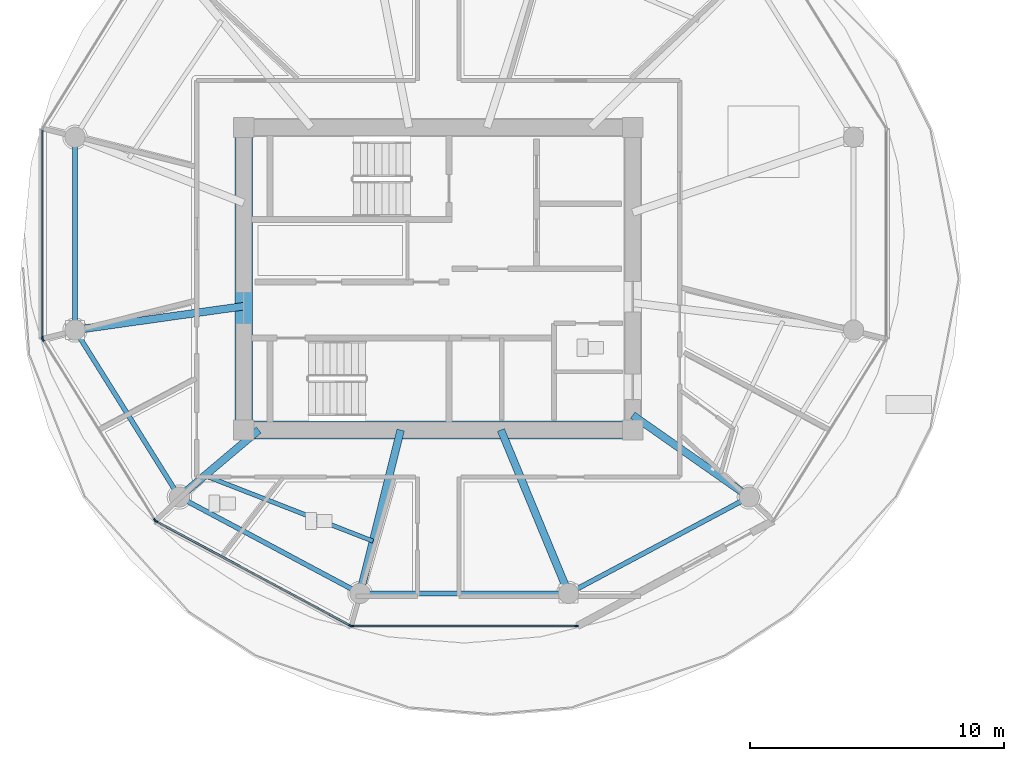
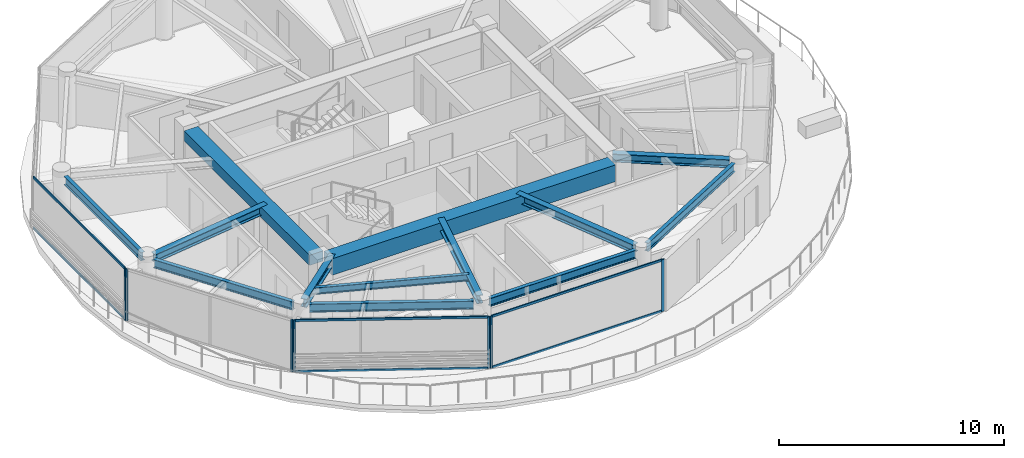
# One storey, part 2 of 28: 13 beams, 13 members, 4 elements without a shape of their own.
"""IFC4 building model written with IfcOpenShell, lengths in metres."""

from ifc_helpers import new_model, si_unit, direction, frame, origin, origin_2d, place, context, subcontext, project, spatial, rectangle, i_section, extrude, source, transform, mapped, material, layer, layer_set, material_profile, profile_set, type_object, type_shapes, element, aggregate, save


model = new_model("IFC4")

# Units and contexts
model_context = context("Model", 3, precision=1e-05, world=origin(), true_north=direction((0.0, 1.0)))
body_context = subcontext(model_context, "Body", "Model", "MODEL_VIEW")
ifc_project = project(units=[si_unit("LENGTHUNIT", "METRE"), si_unit("AREAUNIT", "SQUARE_METRE"), si_unit("VOLUMEUNIT", "CUBIC_METRE"), si_unit("PLANEANGLEUNIT", "RADIAN"), si_unit("MASSUNIT", "GRAM", prefix="KILO")], contexts=[model_context])

# Site, building, storey
site_placement = place(None, origin())
site = spatial("IfcSite", under=ifc_project, at=site_placement, CompositionType="ELEMENT")
building_placement = place(site_placement, origin())
building = spatial("IfcBuilding", under=site, at=building_placement, Name="Norrkilde Senior Care Towers", CompositionType="ELEMENT")
storey_placement = place(building_placement, frame((0.0, 0.0, 134.300048828125)))
storey = spatial("IfcBuildingStorey", under=building, at=storey_placement, Name="L41", CompositionType="ELEMENT", Elevation=134.300048828125)

# Beams
ifc_material_1 = material(Name="Concrete C60/75", Category="concrete")
ifc_material_profile_1 = material_profile(ifc_material_1, rectangle(XDim=0.699951171875, YDim=0.89990234375, at=origin_2d()), Name="RC BM 700x900")
ifc_profile_set_1 = profile_set([ifc_material_profile_1], Name="Concrete C60/75")
beam_type_1 = type_object("IfcBeamType", Name="Core Coupling Girder 700x900", PredefinedType="USERDEFINED", material=ifc_profile_set_1)
shared_shape_1 = source(origin(), body_context, "Body", "SweptSolid", [
    extrude(rectangle(XDim=0.699951171875, YDim=0.89990234375, at=origin_2d()), origin(), (0.0, 0.0, 1.0), 14.5400390625),
])
type_shapes(beam_type_1, [shared_shape_1])
beam_1_placement = place(storey_placement, frame((-35.27001953125, -5.949951171875, 2.35986328125), z_axis=(1.0, 0.0, 0.0), x_axis=(0.0, 1.0, 0.0)))
element("IfcBeam", 1, at=beam_1_placement, inside=storey, type_object=beam_type_1, Name="L41 Core W S Coupling Girder", ObjectType="GIRDER", PredefinedType="USERDEFINED", context=body_context, shape_type="MappedRepresentation", body=[
    mapped(shared_shape_1, transform((0.0, 0.0, 0.0), x_axis=(1.0, 0.0, 0.0), y_axis=(0.0, 1.0, 0.0), z_axis=(0.0, 0.0, 1.0), scale=1.0)),
])
ifc_material_profile_2 = material_profile(ifc_material_1, rectangle(XDim=0.699951171875, YDim=0.550048828125, at=origin_2d()), Name="RC BM 700x550")
ifc_profile_set_2 = profile_set([ifc_material_profile_2], Name="Concrete C60/75")
beam_type_2 = type_object("IfcBeamType", Name="Core Portal Coupling Beam 700x550", PredefinedType="USERDEFINED", material=ifc_profile_set_2)
shared_shape_2 = source(origin(), body_context, "Body", "SweptSolid", [
    extrude(rectangle(XDim=0.699951171875, YDim=0.550048828125, at=origin_2d()), origin(), (0.0, 0.0, 1.0), 11.14013671875),
])
type_shapes(beam_type_2, [shared_shape_2])
beam_2_placement = place(storey_placement, frame((-35.64990234375, -5.570068359375, 2.534912109375), z_axis=(0.0, 1.0, 0.0), x_axis=(-1.0, 0.0, 0.0)))
element("IfcBeam", 2, at=beam_2_placement, inside=storey, type_object=beam_type_2, Name="L41 Core W W Coupling Girder", ObjectType="GIRDER", PredefinedType="USERDEFINED", context=body_context, shape_type="MappedRepresentation", body=[
    mapped(shared_shape_2, transform((0.0, 0.0, 0.0), x_axis=(1.0, 0.0, 0.0), y_axis=(0.0, 1.0, 0.0), z_axis=(0.0, 0.0, 1.0), scale=1.0)),
])
ifc_material_2 = material(Name="Steel S355", Category="steel")
ifc_material_profile_3 = material_profile(ifc_material_2, i_section(OverallWidth=0.18994140625, OverallDepth=0.449951171875, WebThickness=0.009521484375, FlangeThickness=0.0146484375, FilletRadius=0.02099609375, at=origin_2d()), Name="IPE 450")
ifc_profile_set_3 = profile_set([ifc_material_profile_3], Name="Steel S355")
beam_type_3 = type_object("IfcBeamType", Name="Perimeter Ring Spandrel Z3 IPE450", PredefinedType="SPANDREL", material=ifc_profile_set_3)
shared_shape_3 = source(origin(), body_context, "Body", "SweptSolid", [
    extrude(i_section(OverallWidth=0.18994140625, OverallDepth=0.449951171875, WebThickness=0.009521484375, FlangeThickness=0.0146484375, FilletRadius=0.02099609375, at=origin_2d()), origin(), (0.0, 0.0, 1.0), 7.484619140625),
])
beam_3_placement = place(storey_placement, frame((-30.71728515625, -12.37548828125, 2.5849609375), z_axis=(1.0, 0.0, 0.0), x_axis=(0.0, 1.0, 0.0)))
element("IfcBeam", 3, at=beam_3_placement, inside=storey, type_object=beam_type_3, Name="L41 Drum W Perimeter Spandrel 09", PredefinedType="SPANDREL", context=body_context, shape_type="MappedRepresentation", body=[
    mapped(shared_shape_3, transform((0.0, 0.0, 0.0), x_axis=(1.0, 0.0, 0.0), y_axis=(0.0, 1.0, 0.0), z_axis=(0.0, 0.0, 1.0), scale=1.0)),
])
shared_shape_4 = source(origin(), body_context, "Body", "SweptSolid", [
    extrude(i_section(OverallWidth=0.18994140625, OverallDepth=0.449951171875, WebThickness=0.009521484375, FlangeThickness=0.0146484375, FilletRadius=0.02099609375, at=origin_2d()), origin(), (0.0, 0.0, 1.0), 6.86328125),
])
beam_4_placement = place(storey_placement, frame((-42.284912109375, 5.20703125, 2.5849609375), z_axis=(0.0, -1.0, 0.0), x_axis=(1.0, 0.0, 0.0)))
element("IfcBeam", 4, at=beam_4_placement, inside=storey, type_object=beam_type_3, Name="L41 Drum W Perimeter Spandrel 06", PredefinedType="SPANDREL", context=body_context, shape_type="MappedRepresentation", body=[
    mapped(shared_shape_4, transform((0.0, 0.0, 0.0), x_axis=(1.0, 0.0, 0.0), y_axis=(0.0, 1.0, 0.0), z_axis=(0.0, 0.0, 1.0), scale=1.0)),
])
shared_shape_5 = source(origin(), body_context, "Body", "SweptSolid", [
    extrude(i_section(OverallWidth=0.18994140625, OverallDepth=0.449951171875, WebThickness=0.009521484375, FlangeThickness=0.0146484375, FilletRadius=0.02099609375, at=origin_2d()), origin(), (0.0, 0.0, 1.0), 7.023193359375),
])
beam_5_placement = place(storey_placement, frame((-42.09423828125, -2.32177734375, 2.5849609375), z_axis=(0.529805197269, -0.848119362441, 0.0), x_axis=(0.848119362441, 0.529805197269, 0.0)))
element("IfcBeam", 5, at=beam_5_placement, inside=storey, type_object=beam_type_3, Name="L41 Drum W Perimeter Spandrel 07", PredefinedType="SPANDREL", context=body_context, shape_type="MappedRepresentation", body=[
    mapped(shared_shape_5, transform((0.0, 0.0, 0.0), x_axis=(1.0, 0.0, 0.0), y_axis=(0.0, 1.0, 0.0), z_axis=(0.0, 0.0, 1.0), scale=1.0)),
])
ifc_material_profile_4 = material_profile(ifc_material_2, i_section(OverallWidth=0.300048828125, OverallDepth=0.449951171875, WebThickness=0.013916015625, FlangeThickness=0.02587890625, FilletRadius=0.027099609375, at=origin_2d()), Name="HEB 450")
ifc_profile_set_4 = profile_set([ifc_material_profile_4], Name="Steel S355")
beam_type_4 = type_object("IfcBeamType", Name="Radial Floor Beam Z3 HEB450", PredefinedType="BEAM", material=ifc_profile_set_4)
shared_shape_6 = source(origin(), body_context, "Body", "SweptSolid", [
    extrude(i_section(OverallWidth=0.300048828125, OverallDepth=0.449951171875, WebThickness=0.013916015625, FlangeThickness=0.02587890625, FilletRadius=0.027099609375, at=origin_2d()), origin(), (0.0, 0.0, 1.0), 6.3408203125),
])
beam_6_placement = place(storey_placement, frame((-35.64990234375, -1.079833984375, 2.5849609375), z_axis=(-0.990184519576, -0.139766294905, 0.0), x_axis=(0.139766294905, -0.990184519576, 0.0)))
element("IfcBeam", 6, at=beam_6_placement, inside=storey, type_object=beam_type_4, Name="L41 Drum W Radial Floor Beam 07", PredefinedType="BEAM", context=body_context, shape_type="MappedRepresentation", body=[
    mapped(shared_shape_6, transform((0.0, 0.0, 0.0), x_axis=(1.0, 0.0, 0.0), y_axis=(0.0, 1.0, 0.0), z_axis=(0.0, 0.0, 1.0), scale=1.0)),
])
shared_shape_7 = source(origin(), body_context, "Body", "SweptSolid", [
    extrude(i_section(OverallWidth=0.18994140625, OverallDepth=0.449951171875, WebThickness=0.009521484375, FlangeThickness=0.0146484375, FilletRadius=0.02099609375, at=origin_2d()), origin(), (0.0, 0.0, 1.0), 7.333984375),
])
type_shapes(beam_type_3, [shared_shape_3, shared_shape_4, shared_shape_5, shared_shape_7])
for number, where, z_axis, x_axis, name in (
    (7, (-37.864990234375, -8.753173828125, 2.5849609375), (0.882234038987, -0.470811109101, 0.0), (0.470811109101, 0.882234038987, 0.0), "L41 Drum W Perimeter Spandrel 08"),
    (8, (-22.55517578125, -12.2060546875, 2.5849609375), (0.882234038987, 0.470811109101, 0.0), (-0.470811109101, 0.882234038987, 0.0), "L41 Drum W Perimeter Spandrel 10"),
):
    element("IfcBeam", number, at=place(storey_placement, frame(where, z_axis=z_axis, x_axis=x_axis)), inside=storey, type_object=beam_type_3, Name=name, PredefinedType="SPANDREL", context=body_context, shape_type="MappedRepresentation", body=[
        mapped(shared_shape_7, transform((0.0, 0.0, 0.0), x_axis=(1.0, 0.0, 0.0), y_axis=(0.0, 1.0, 0.0), z_axis=(0.0, 0.0, 1.0), scale=1.0)),
    ])
shared_shape_8 = source(origin(), body_context, "Body", "SweptSolid", [
    extrude(i_section(OverallWidth=0.300048828125, OverallDepth=0.449951171875, WebThickness=0.013916015625, FlangeThickness=0.02587890625, FilletRadius=0.027099609375, at=origin_2d()), origin(), (0.0, 0.0, 1.0), 3.7265625),
])
beam_7_placement = place(storey_placement, frame((-35.058349609375, -5.949951171875, 2.5849609375), z_axis=(-0.764567902106, -0.644543189453, 0.0), x_axis=(0.644543189453, -0.764567902106, 0.0)))
element("IfcBeam", 9, at=beam_7_placement, inside=storey, type_object=beam_type_4, Name="L41 Drum W Radial Floor Beam 08", PredefinedType="BEAM", context=body_context, shape_type="MappedRepresentation", body=[
    mapped(shared_shape_8, transform((0.0, 0.0, 0.0), x_axis=(1.0, 0.0, 0.0), y_axis=(0.0, 1.0, 0.0), z_axis=(0.0, 0.0, 1.0), scale=1.0)),
])
shared_shape_9 = source(origin(), body_context, "Body", "SweptSolid", [
    extrude(i_section(OverallWidth=0.300048828125, OverallDepth=0.449951171875, WebThickness=0.013916015625, FlangeThickness=0.02587890625, FilletRadius=0.027099609375, at=origin_2d()), origin(), (0.0, 0.0, 1.0), 6.26123046875),
])
beam_8_placement = place(storey_placement, frame((-29.4794921875, -5.949951171875, 2.5849609375), z_axis=(-0.241324375921, -0.970444509277, 0.0), x_axis=(0.970444509277, -0.241324375921, 0.0)))
element("IfcBeam", 10, at=beam_8_placement, inside=storey, type_object=beam_type_4, Name="L41 Drum W Radial Floor Beam 09", PredefinedType="BEAM", context=body_context, shape_type="MappedRepresentation", body=[
    mapped(shared_shape_9, transform((0.0, 0.0, 0.0), x_axis=(1.0, 0.0, 0.0), y_axis=(0.0, 1.0, 0.0), z_axis=(0.0, 0.0, 1.0), scale=1.0)),
])
shared_shape_10 = source(origin(), body_context, "Body", "SweptSolid", [
    extrude(i_section(OverallWidth=0.300048828125, OverallDepth=0.449951171875, WebThickness=0.013916015625, FlangeThickness=0.02587890625, FilletRadius=0.027099609375, at=origin_2d()), origin(), (0.0, 0.0, 1.0), 6.59521484375),
])
beam_9_placement = place(storey_placement, frame((-25.534912109375, -5.949951171875, 2.5849609375), z_axis=(0.382761541363, -0.923847174836, 0.0), x_axis=(0.923847174836, 0.382761541363, 0.0)))
element("IfcBeam", 11, at=beam_9_placement, inside=storey, type_object=beam_type_4, Name="L41 Drum W Radial Floor Beam 10", PredefinedType="BEAM", context=body_context, shape_type="MappedRepresentation", body=[
    mapped(shared_shape_10, transform((0.0, 0.0, 0.0), x_axis=(1.0, 0.0, 0.0), y_axis=(0.0, 1.0, 0.0), z_axis=(0.0, 0.0, 1.0), scale=1.0)),
])
shared_shape_11 = source(origin(), body_context, "Body", "SweptSolid", [
    extrude(i_section(OverallWidth=0.300048828125, OverallDepth=0.449951171875, WebThickness=0.013916015625, FlangeThickness=0.02587890625, FilletRadius=0.027099609375, at=origin_2d()), origin(), (0.0, 0.0, 1.0), 5.23828125),
])
type_shapes(beam_type_4, [shared_shape_6, shared_shape_8, shared_shape_9, shared_shape_10, shared_shape_11])
beam_10_placement = place(storey_placement, frame((-20.35009765625, -5.3681640625, 2.5849609375), z_axis=(0.818592061291, -0.574375345215, 0.0), x_axis=(0.574375345215, 0.818592061291, 0.0)))
element("IfcBeam", 12, at=beam_10_placement, inside=storey, type_object=beam_type_4, Name="L41 Drum W Radial Floor Beam 11", PredefinedType="BEAM", context=body_context, shape_type="MappedRepresentation", body=[
    mapped(shared_shape_11, transform((0.0, 0.0, 0.0), x_axis=(1.0, 0.0, 0.0), y_axis=(0.0, 1.0, 0.0), z_axis=(0.0, 0.0, 1.0), scale=1.0)),
])
ifc_material_profile_5 = material_profile(ifc_material_2, i_section(OverallWidth=0.169921875, OverallDepth=0.360107421875, WebThickness=0.008056640625, FlangeThickness=0.0126953125, FilletRadius=0.01806640625, at=origin_2d()), Name="IPE 360")
ifc_profile_set_5 = profile_set([ifc_material_profile_5], Name="Steel S355")
beam_type_5 = type_object("IfcBeamType", Name="Secondary Floor Joist IPE360", PredefinedType="JOIST", material=ifc_profile_set_5)
shared_shape_12 = source(origin(), body_context, "Body", "SweptSolid", [
    extrude(i_section(OverallWidth=0.169921875, OverallDepth=0.360107421875, WebThickness=0.008056640625, FlangeThickness=0.0126953125, FilletRadius=0.01806640625, at=origin_2d()), origin(), (0.0, 0.0, 1.0), 7.1015625),
])
type_shapes(beam_type_5, [shared_shape_12])
beam_11_placement = place(storey_placement, frame((-37.182861328125, -7.740966796875, 2.6298828125), z_axis=(0.931761231292, -0.363071629106, 0.0), x_axis=(0.363071629106, 0.931761231292, 0.0)))
element("IfcBeam", 13, at=beam_11_placement, inside=storey, type_object=beam_type_5, Name="L41 Drum W Secondary Floor Joist 3", PredefinedType="JOIST", context=body_context, shape_type="MappedRepresentation", body=[
    mapped(shared_shape_12, transform((0.0, 0.0, 0.0), x_axis=(1.0, 0.0, 0.0), y_axis=(0.0, 1.0, 0.0), z_axis=(0.0, 0.0, 1.0), scale=1.0)),
])

# Curtain wall, member
ifc_material_3 = material(Name="Triple Low-E Insulated Glazing", Category="glass")
ifc_layer = layer(ifc_material_3, 0.18994140625)
ifc_layer_set = layer_set([ifc_layer], Name="Triple Low-E Insulated Glazing")
curtain_wall_type = type_object("IfcCurtainWallType", Name="CW4 Zone 3 Senior Residence Curtain Wall", PredefinedType="NOTDEFINED", material=ifc_layer_set)
curtain_wall_1_placement = place(storey_placement, origin())
curtain_wall_1 = element("IfcCurtainWall", 14, at=curtain_wall_1_placement, inside=storey, type_object=curtain_wall_type, Name="L41 Drum W Curtain Wall 05", PredefinedType="NOTDEFINED")
ifc_material_4 = material(Name="Anodised Aluminium", Category="aluminium")
ifc_material_profile_6 = material_profile(ifc_material_4, rectangle(XDim=0.06494140625, YDim=0.14990234375, at=origin_2d()), Name="ALU MULL 65x150")
ifc_profile_set_6 = profile_set([ifc_material_profile_6], Name="Anodised Aluminium")
member_type_1 = type_object("IfcMemberType", Name="Curtain Wall Mullion Z3-Z4 65x150", PredefinedType="MULLION", material=ifc_profile_set_6)
shared_shape_13 = source(origin(), body_context, "Body", "SweptSolid", [
    extrude(rectangle(XDim=0.06494140625, YDim=0.14990234375, at=origin_2d()), origin(), (0.0, 0.0, 1.0), 2.81005859375),
])
type_shapes(member_type_1, [shared_shape_13])
member_1_placement = place(storey_placement, frame((-43.569580078125, -2.328125, 0.0), z_axis=(0.0, 0.0, 1.0), x_axis=(-1.0, 0.0, 0.0)))
member_1 = element("IfcMember", 15, at=member_1_placement, type_object=member_type_1, Name="CW-4 mullion 1", PredefinedType="MULLION", context=body_context, shape_type="MappedRepresentation", body=[
    mapped(shared_shape_13, transform((0.0, 0.0, 0.0), x_axis=(1.0, 0.0, 0.0), y_axis=(0.0, 1.0, 0.0), z_axis=(0.0, 0.0, 1.0), scale=1.0)),
])

# Curtain wall, members
curtain_wall_2_placement = place(storey_placement, origin())
curtain_wall_2 = element("IfcCurtainWall", 16, at=curtain_wall_2_placement, inside=storey, type_object=curtain_wall_type, Name="L41 Drum W Curtain Wall 06", PredefinedType="NOTDEFINED")
member_2_placement = place(storey_placement, frame((-39.14013671875, -9.49658203125, 0.0), z_axis=(0.0, 0.0, 1.0), x_axis=(-0.84963405474, -0.52737270789, 0.0)))
member_2 = element("IfcMember", 17, at=member_2_placement, type_object=member_type_1, Name="CW-4 mullion 1", PredefinedType="MULLION", context=body_context, shape_type="MappedRepresentation", body=[
    mapped(shared_shape_13, transform((0.0, 0.0, 0.0), x_axis=(1.0, 0.0, 0.0), y_axis=(0.0, 1.0, 0.0), z_axis=(0.0, 0.0, 1.0), scale=1.0)),
])
member_3_placement = place(storey_placement, frame((-43.552490234375, -2.38818359375, 0.0), z_axis=(0.0, 0.0, 1.0), x_axis=(-0.84963405474, -0.52737270789, 0.0)))
member_3 = element("IfcMember", 18, at=member_3_placement, type_object=member_type_1, Name="CW-4 mullion 2", PredefinedType="MULLION", context=body_context, shape_type="MappedRepresentation", body=[
    mapped(shared_shape_13, transform((0.0, 0.0, 0.0), x_axis=(1.0, 0.0, 0.0), y_axis=(0.0, 1.0, 0.0), z_axis=(0.0, 0.0, 1.0), scale=1.0)),
])
aggregate(curtain_wall_2, [member_2, member_3])

curtain_wall_3_placement = place(storey_placement, origin())
curtain_wall_3 = element("IfcCurtainWall", 19, at=curtain_wall_3_placement, inside=storey, type_object=curtain_wall_type, Name="L41 Drum W Curtain Wall 07", PredefinedType="NOTDEFINED")
member_4_placement = place(storey_placement, frame((-31.4501953125, -13.644775390625, 0.0), z_axis=(0.0, 0.0, 1.0), x_axis=(-0.47311715104, -0.880999524059, 0.0)))
member_4 = element("IfcMember", 20, at=member_4_placement, type_object=member_type_1, Name="CW-4 mullion 1", PredefinedType="MULLION", context=body_context, shape_type="MappedRepresentation", body=[
    mapped(shared_shape_13, transform((0.0, 0.0, 0.0), x_axis=(1.0, 0.0, 0.0), y_axis=(0.0, 1.0, 0.0), z_axis=(0.0, 0.0, 1.0), scale=1.0)),
])
member_5_placement = place(storey_placement, frame((-39.094482421875, -9.53955078125, 0.0), z_axis=(0.0, 0.0, 1.0), x_axis=(-0.47311715104, -0.880999524059, 0.0)))
member_5 = element("IfcMember", 21, at=member_5_placement, type_object=member_type_1, Name="CW-4 mullion 2", PredefinedType="MULLION", context=body_context, shape_type="MappedRepresentation", body=[
    mapped(shared_shape_13, transform((0.0, 0.0, 0.0), x_axis=(1.0, 0.0, 0.0), y_axis=(0.0, 1.0, 0.0), z_axis=(0.0, 0.0, 1.0), scale=1.0)),
])

curtain_wall_4_placement = place(storey_placement, origin())
curtain_wall_4 = element("IfcCurtainWall", 22, at=curtain_wall_4_placement, inside=storey, type_object=curtain_wall_type, Name="L41 Drum W Curtain Wall 08", PredefinedType="NOTDEFINED")
member_6_placement = place(storey_placement, frame((-22.56103515625, -13.66015625, 0.0), z_axis=(0.0, 0.0, 1.0), x_axis=(0.0, -1.0, 0.0)))
member_6 = element("IfcMember", 23, at=member_6_placement, type_object=member_type_1, Name="CW-4 mullion 1", PredefinedType="MULLION", context=body_context, shape_type="MappedRepresentation", body=[
    mapped(shared_shape_13, transform((0.0, 0.0, 0.0), x_axis=(1.0, 0.0, 0.0), y_axis=(0.0, 1.0, 0.0), z_axis=(0.0, 0.0, 1.0), scale=1.0)),
])
member_7_placement = place(storey_placement, frame((-31.388916015625, -13.66015625, 0.0), z_axis=(0.0, 0.0, 1.0), x_axis=(0.0, -1.0, 0.0)))
member_7 = element("IfcMember", 24, at=member_7_placement, type_object=member_type_1, Name="CW-4 mullion 2", PredefinedType="MULLION", context=body_context, shape_type="MappedRepresentation", body=[
    mapped(shared_shape_13, transform((0.0, 0.0, 0.0), x_axis=(1.0, 0.0, 0.0), y_axis=(0.0, 1.0, 0.0), z_axis=(0.0, 0.0, 1.0), scale=1.0)),
])
ifc_material_profile_7 = material_profile(ifc_material_4, rectangle(XDim=0.06005859375, YDim=0.1201171875, at=origin_2d()), Name="ALU TRAN 60x120")
ifc_profile_set_7 = profile_set([ifc_material_profile_7], Name="Anodised Aluminium")
member_type_2 = type_object("IfcMemberType", Name="Curtain Wall Transom Typical 60x120", PredefinedType="USERDEFINED", material=ifc_profile_set_7)
shared_shape_14 = source(origin(), body_context, "Body", "SweptSolid", [
    extrude(rectangle(XDim=0.06005859375, YDim=0.1201171875, at=origin_2d()), origin(), (0.0, 0.0, 1.0), 8.762939453125),
])
member_8_placement = place(storey_placement, frame((-22.593505859375, -13.66015625, 0.030029296875), z_axis=(-1.0, 0.0, 0.0), x_axis=(0.0, -1.0, 0.0)))
member_8 = element("IfcMember", 25, at=member_8_placement, type_object=member_type_2, Name="CW-4 transom 1.1", ObjectType="TRANSOM", PredefinedType="USERDEFINED", context=body_context, shape_type="MappedRepresentation", body=[
    mapped(shared_shape_14, transform((0.0, 0.0, 0.0), x_axis=(1.0, 0.0, 0.0), y_axis=(0.0, 1.0, 0.0), z_axis=(0.0, 0.0, 1.0), scale=1.0)),
])
member_9_placement = place(storey_placement, frame((-22.593505859375, -13.66015625, 2.780029296875), z_axis=(-1.0, 0.0, 0.0), x_axis=(0.0, -1.0, 0.0)))
member_9 = element("IfcMember", 26, at=member_9_placement, type_object=member_type_2, Name="CW-4 transom 1.2", ObjectType="TRANSOM", PredefinedType="USERDEFINED", context=body_context, shape_type="MappedRepresentation", body=[
    mapped(shared_shape_14, transform((0.0, 0.0, 0.0), x_axis=(1.0, 0.0, 0.0), y_axis=(0.0, 1.0, 0.0), z_axis=(0.0, 0.0, 1.0), scale=1.0)),
])
aggregate(curtain_wall_4, [member_6, member_7, member_8, member_9])

# Member
shared_shape_15 = source(origin(), body_context, "Body", "SweptSolid", [
    extrude(rectangle(XDim=0.06005859375, YDim=0.1201171875, at=origin_2d()), origin(), (0.0, 0.0, 1.0), 8.612060546875),
])
member_10_placement = place(storey_placement, frame((-31.478759765625, -13.62939453125, 0.030029296875), z_axis=(-0.881000337462, 0.473115636384, 0.0), x_axis=(-0.473115636384, -0.881000337462, 0.0)))
member_10 = element("IfcMember", 27, at=member_10_placement, type_object=member_type_2, Name="CW-4 transom 1.1", ObjectType="TRANSOM", PredefinedType="USERDEFINED", context=body_context, shape_type="MappedRepresentation", body=[
    mapped(shared_shape_15, transform((0.0, 0.0, 0.0), x_axis=(1.0, 0.0, 0.0), y_axis=(0.0, 1.0, 0.0), z_axis=(0.0, 0.0, 1.0), scale=1.0)),
])

member_11_placement = place(storey_placement, frame((-31.478759765625, -13.62939453125, 2.780029296875), z_axis=(-0.881000337462, 0.473115636384, 0.0), x_axis=(-0.473115636384, -0.881000337462, 0.0)))
member_11 = element("IfcMember", 28, at=member_11_placement, type_object=member_type_2, Name="CW-4 transom 1.2", ObjectType="TRANSOM", PredefinedType="USERDEFINED", context=body_context, shape_type="MappedRepresentation", body=[
    mapped(shared_shape_15, transform((0.0, 0.0, 0.0), x_axis=(1.0, 0.0, 0.0), y_axis=(0.0, 1.0, 0.0), z_axis=(0.0, 0.0, 1.0), scale=1.0)),
])

aggregate(curtain_wall_3, [member_4, member_5, member_10, member_11])

shared_shape_16 = source(origin(), body_context, "Body", "SweptSolid", [
    extrude(rectangle(XDim=0.06005859375, YDim=0.1201171875, at=origin_2d()), origin(), (0.0, 0.0, 1.0), 8.141845703125),
])
type_shapes(member_type_2, [shared_shape_14, shared_shape_15, shared_shape_16])
member_12_placement = place(storey_placement, frame((-43.569580078125, -2.295654296875, 0.030029296875), z_axis=(0.0, 1.0, 0.0), x_axis=(-1.0, 0.0, 0.0)))
member_12 = element("IfcMember", 29, at=member_12_placement, type_object=member_type_2, Name="CW-4 transom 1.1", ObjectType="TRANSOM", PredefinedType="USERDEFINED", context=body_context, shape_type="MappedRepresentation", body=[
    mapped(shared_shape_16, transform((0.0, 0.0, 0.0), x_axis=(1.0, 0.0, 0.0), y_axis=(0.0, 1.0, 0.0), z_axis=(0.0, 0.0, 1.0), scale=1.0)),
])

member_13_placement = place(storey_placement, frame((-43.569580078125, -2.295654296875, 2.780029296875), z_axis=(0.0, 1.0, 0.0), x_axis=(-1.0, 0.0, 0.0)))
member_13 = element("IfcMember", 30, at=member_13_placement, type_object=member_type_2, Name="CW-4 transom 1.2", ObjectType="TRANSOM", PredefinedType="USERDEFINED", context=body_context, shape_type="MappedRepresentation", body=[
    mapped(shared_shape_16, transform((0.0, 0.0, 0.0), x_axis=(1.0, 0.0, 0.0), y_axis=(0.0, 1.0, 0.0), z_axis=(0.0, 0.0, 1.0), scale=1.0)),
])

aggregate(curtain_wall_1, [member_1, member_12, member_13])

save(model, "model.ifc")
